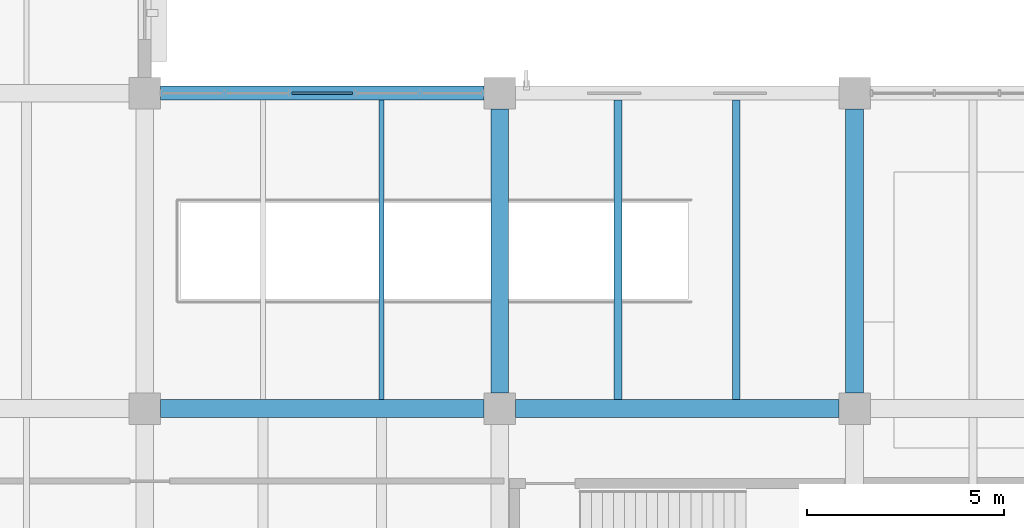
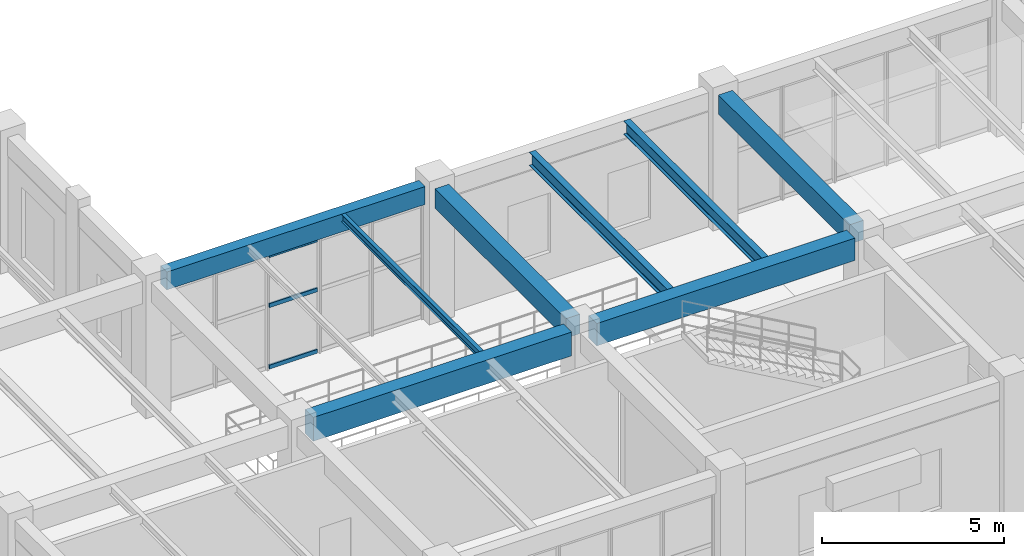
# One storey, part 51 of 178: 8 beams, 3 members, 1 element without a shape of its own.
"""IFC4 building model written with IfcOpenShell, lengths in metres."""

from ifc_helpers import new_model, si_unit, derived_unit, direction, frame, origin, origin_2d, place, context, subcontext, project, spatial, rectangle, hollow_rectangle, i_section, extrude, material, material_profile, profile_set, type_object, element, aggregate, save


model = new_model("IFC4")

# Units and contexts
model_context = context("Model", 3, precision=1e-05, world=origin(), true_north=direction((0.0, 1.0)))
body_context = subcontext(model_context, "Body", "Model", "MODEL_VIEW")
ifc_project = project(units=[si_unit("LENGTHUNIT", "METRE"), si_unit("AREAUNIT", "SQUARE_METRE"), si_unit("VOLUMEUNIT", "CUBIC_METRE"), si_unit("PLANEANGLEUNIT", "RADIAN"), si_unit("MASSUNIT", "GRAM", prefix="KILO"), derived_unit("THERMALTRANSMITTANCEUNIT", [(si_unit("MASSUNIT", "GRAM", prefix="KILO"), 1), (si_unit("TIMEUNIT", "SECOND"), -3), (si_unit("THERMODYNAMICTEMPERATUREUNIT", "KELVIN"), -1)])], contexts=[model_context])

# Site, building, storey
site_placement = place(None, origin())
site = spatial("IfcSite", under=ifc_project, at=site_placement, CompositionType="ELEMENT")
building_placement = place(site_placement, origin())
building = spatial("IfcBuilding", under=site, at=building_placement, Name="Zhenchuan Archway Interchange", CompositionType="ELEMENT")
storey_placement = place(building_placement, frame((0.0, 0.0, 5.39990234375)))
storey = spatial("IfcBuildingStorey", under=building, at=storey_placement, Name="L01", CompositionType="ELEMENT", Elevation=5.39990234375)

# Beams
ifc_material_1 = material(Name="Concrete C40", Category="concrete")
ifc_material_profile_1 = material_profile(ifc_material_1, rectangle(XDim=0.449951171875, YDim=0.64990234375, at=origin_2d()), Name="RC 450x650")
ifc_profile_set_1 = profile_set([ifc_material_profile_1], Name="Concrete C40")
beam_type_1 = type_object("IfcBeamType", Name="BM_RC_450x650", PredefinedType="BEAM", material=ifc_profile_set_1)
for number, where, z_axis, x_axis, name in (
    (1, (117.0, 16.39990234375, 4.18505859375), (0.0, 1.0, 0.0), (-1.0, 0.0, 0.0), "Beam 14:C-D (L01)"),
    (2, (126.0, 16.39990234375, 4.18505859375), (0.0, 1.0, 0.0), (-1.0, 0.0, 0.0), "Beam 15:C-D (L01)"),
):
    element("IfcBeam", number, at=place(storey_placement, frame(where, z_axis=z_axis, x_axis=x_axis)), inside=storey, type_object=beam_type_1, Name=name, PredefinedType="BEAM", context=body_context, shape_type="SweptSolid", body=[
        extrude(rectangle(XDim=0.449951171875, YDim=0.64990234375, at=origin_2d()), origin(), (0.0, 0.0, 1.0), 7.2001953125),
    ])
ifc_material_profile_2 = material_profile(ifc_material_1, rectangle(XDim=0.449951171875, YDim=0.75, at=origin_2d()), Name="RC 450x750")
ifc_profile_set_2 = profile_set([ifc_material_profile_2], Name="Concrete C40")
beam_type_2 = type_object("IfcBeamType", Name="BM_RC_450x750", PredefinedType="BEAM", material=ifc_profile_set_2)
beam_1_placement = place(storey_placement, frame((117.39990234375, 16.0, 4.135009765625), z_axis=(1.0, 0.0, 0.0), x_axis=(0.0, 1.0, 0.0)))
element("IfcBeam", 3, at=beam_1_placement, inside=storey, type_object=beam_type_2, Name="Beam C:14-15 (L01)", PredefinedType="BEAM", context=body_context, shape_type="SweptSolid", body=[
    extrude(rectangle(XDim=0.449951171875, YDim=0.75, at=origin_2d()), origin(), (0.0, 0.0, 1.0), 8.2001953125),
])
ifc_material_profile_3 = material_profile(ifc_material_1, rectangle(XDim=0.449951171875, YDim=0.800048828125, at=origin_2d()), Name="RC 450x800")
ifc_profile_set_3 = profile_set([ifc_material_profile_3], Name="Concrete C40")
beam_type_3 = type_object("IfcBeamType", Name="BM_RC_450x800", PredefinedType="BEAM", material=ifc_profile_set_3)
beam_2_placement = place(storey_placement, frame((108.39990234375, 16.0, 4.110107421875), z_axis=(1.0, 0.0, 0.0), x_axis=(0.0, 1.0, 0.0)))
element("IfcBeam", 4, at=beam_2_placement, inside=storey, type_object=beam_type_3, Name="Beam C:13-14 (L01)", PredefinedType="BEAM", context=body_context, shape_type="SweptSolid", body=[
    extrude(rectangle(XDim=0.449951171875, YDim=0.800048828125, at=origin_2d()), origin(), (0.0, 0.0, 1.0), 8.2001953125),
])

# Curtain wall, members
ifc_material_2 = material(Name="Anodised Aluminium", Category="aluminium")
curtain_wall_type = type_object("IfcCurtainWallType", Name="CW_UNIT_3", PredefinedType="NOTDEFINED", material=ifc_material_2)
curtain_wall_placement = place(storey_placement, origin())
curtain_wall = element("IfcCurtainWall", 5, at=curtain_wall_placement, inside=storey, type_object=curtain_wall_type, Name="Unitised curtain wall CW:L01:102", PredefinedType="NOTDEFINED")
ifc_material_profile_4 = material_profile(ifc_material_2, hollow_rectangle(XDim=0.06005859375, YDim=0.139892578125, WallThickness=0.00341796875, InnerFilletRadius=0.00341796875, OuterFilletRadius=0.007080078125, at=origin_2d()), Name="ALU 140x60x3.5")
ifc_profile_set_4 = profile_set([ifc_material_profile_4], Name="Anodised Aluminium")
member_type = type_object("IfcMemberType", Name="CW_TRN_140", PredefinedType="USERDEFINED", material=ifc_profile_set_4)
member_1_placement = place(storey_placement, frame((111.733642578125, 24.0, 0.06005859375), z_axis=(1.0, 0.0, 0.0), x_axis=(0.0, 1.0, 0.0)))
member_1 = element("IfcMember", 6, at=member_1_placement, type_object=member_type, Name="CW:L01:102 transom 2-1", ObjectType="TRANSOM", PredefinedType="USERDEFINED", context=body_context, shape_type="SweptSolid", body=[
    extrude(hollow_rectangle(XDim=0.06005859375, YDim=0.139892578125, WallThickness=0.00341796875, InnerFilletRadius=0.00341796875, OuterFilletRadius=0.007080078125, at=origin_2d()), origin(), (0.0, 0.0, 1.0), 1.53271484375),
])
member_2_placement = place(storey_placement, frame((111.733642578125, 24.0, 2.123046875), z_axis=(1.0, 0.0, 0.0), x_axis=(0.0, 1.0, 0.0)))
member_2 = element("IfcMember", 7, at=member_2_placement, type_object=member_type, Name="CW:L01:102 transom 2-2", ObjectType="TRANSOM", PredefinedType="USERDEFINED", context=body_context, shape_type="SweptSolid", body=[
    extrude(hollow_rectangle(XDim=0.06005859375, YDim=0.139892578125, WallThickness=0.00341796875, InnerFilletRadius=0.00341796875, OuterFilletRadius=0.007080078125, at=origin_2d()), origin(), (0.0, 0.0, 1.0), 1.53271484375),
])
member_3_placement = place(storey_placement, frame((111.733642578125, 24.0, 3.800048828125), z_axis=(1.0, 0.0, 0.0), x_axis=(0.0, 1.0, 0.0)))
member_3 = element("IfcMember", 8, at=member_3_placement, type_object=member_type, Name="CW:L01:102 transom 2-3", ObjectType="TRANSOM", PredefinedType="USERDEFINED", context=body_context, shape_type="SweptSolid", body=[
    extrude(hollow_rectangle(XDim=0.06005859375, YDim=0.139892578125, WallThickness=0.00341796875, InnerFilletRadius=0.00341796875, OuterFilletRadius=0.007080078125, at=origin_2d()), origin(), (0.0, 0.0, 1.0), 1.53271484375),
])
aggregate(curtain_wall, [member_1, member_2, member_3])

# Beams
ifc_material_3 = material(Name="Steel Q355", Category="steel")
ifc_material_profile_5 = material_profile(ifc_material_3, i_section(OverallWidth=0.125, OverallDepth=0.25, WebThickness=0.006103515625, FlangeThickness=0.009033203125, FilletRadius=0.011962890625, at=origin_2d()), Name="HN 250x125")
ifc_profile_set_5 = profile_set([ifc_material_profile_5], Name="Steel Q355")
beam_type_4 = type_object("IfcBeamType", Name="JST_STL_HN250", PredefinedType="JOIST", material=ifc_profile_set_5)
beam_3_placement = place(storey_placement, frame((114.0, 16.22509765625, 4.385009765625), z_axis=(0.0, 1.0, 0.0), x_axis=(-1.0, 0.0, 0.0)))
element("IfcBeam", 9, at=beam_3_placement, inside=storey, type_object=beam_type_4, Name="Secondary joist 13-14/C-D #2 (L01)", PredefinedType="JOIST", context=body_context, shape_type="SweptSolid", body=[
    extrude(i_section(OverallWidth=0.125, OverallDepth=0.25, WebThickness=0.006103515625, FlangeThickness=0.009033203125, FilletRadius=0.011962890625, at=origin_2d()), origin(), (0.0, 0.0, 1.0), 7.599853515625),
])
ifc_material_profile_6 = material_profile(ifc_material_3, i_section(OverallWidth=0.199951171875, OverallDepth=0.449951171875, WebThickness=0.009033203125, FlangeThickness=0.013916015625, FilletRadius=0.01806640625, at=origin_2d()), Name="HN 450x200")
ifc_profile_set_6 = profile_set([ifc_material_profile_6], Name="Steel Q355")
beam_type_5 = type_object("IfcBeamType", Name="JST_STL_HN450", PredefinedType="JOIST", material=ifc_profile_set_6)
for number, where, z_axis, x_axis, name in (
    (10, (120.0, 16.22509765625, 4.28515625), (0.0, 1.0, 0.0), (-1.0, 0.0, 0.0), "Secondary joist 14-15/C-D #1 (L01)"),
    (11, (123.0, 16.22509765625, 4.28515625), (0.0, 1.0, 0.0), (-1.0, 0.0, 0.0), "Secondary joist 14-15/C-D #2 (L01)"),
):
    element("IfcBeam", number, at=place(storey_placement, frame(where, z_axis=z_axis, x_axis=x_axis)), inside=storey, type_object=beam_type_5, Name=name, PredefinedType="JOIST", context=body_context, shape_type="SweptSolid", body=[
        extrude(i_section(OverallWidth=0.199951171875, OverallDepth=0.449951171875, WebThickness=0.009033203125, FlangeThickness=0.013916015625, FilletRadius=0.01806640625, at=origin_2d()), origin(), (0.0, 0.0, 1.0), 7.599853515625),
    ])
ifc_material_profile_7 = material_profile(ifc_material_1, rectangle(XDim=0.35009765625, YDim=0.60009765625, at=origin_2d()), Name="RC 350x600")
ifc_profile_set_7 = profile_set([ifc_material_profile_7], Name="Concrete C40")
beam_type_6 = type_object("IfcBeamType", Name="SP_RC_350x600", PredefinedType="SPANDREL", material=ifc_profile_set_7)
beam_4_placement = place(storey_placement, frame((108.39990234375, 24.0, 4.210205078125), z_axis=(1.0, 0.0, 0.0), x_axis=(0.0, 1.0, 0.0)))
element("IfcBeam", 12, at=beam_4_placement, inside=storey, type_object=beam_type_6, Name="Beam D:13-14 (L01)", PredefinedType="SPANDREL", context=body_context, shape_type="SweptSolid", body=[
    extrude(rectangle(XDim=0.35009765625, YDim=0.60009765625, at=origin_2d()), origin(), (0.0, 0.0, 1.0), 8.2001953125),
])

save(model, "model.ifc")
